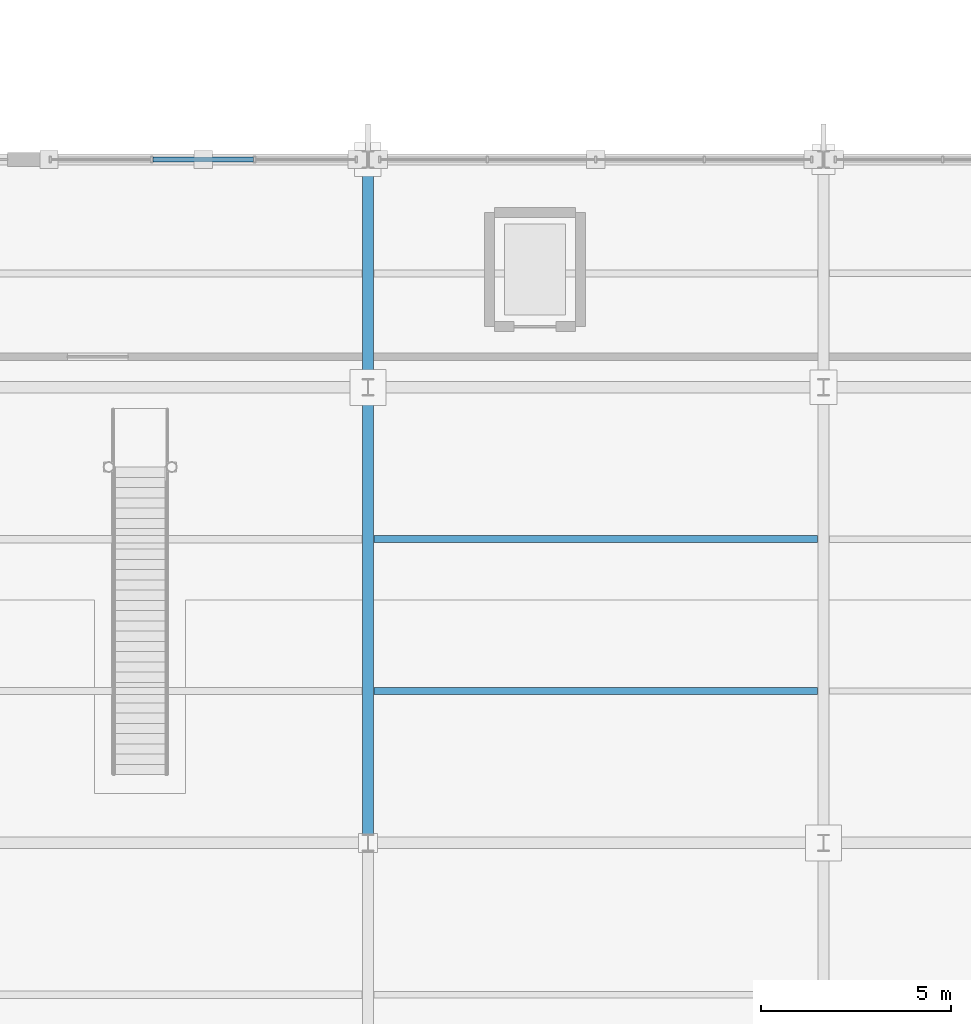
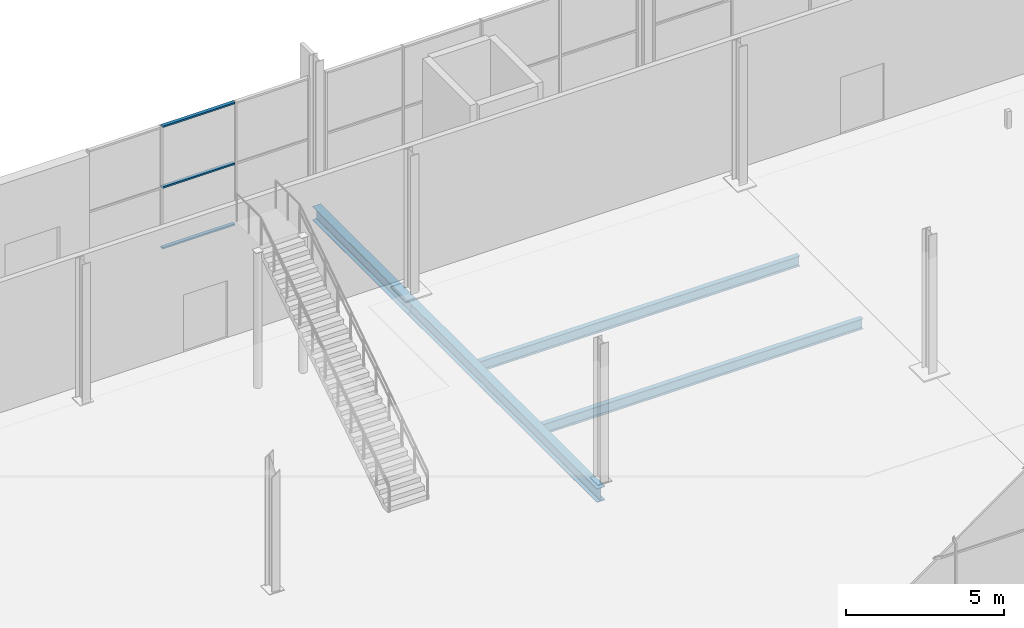
# One storey, part 83 of 196: 4 beams, 3 members, 1 element without a shape of its own.
"""IFC4 building model written with IfcOpenShell, lengths in metres."""

from ifc_helpers import new_model, si_unit, direction, frame, origin, origin_2d, place, context, subcontext, project, spatial, hollow_rectangle, i_section, extrude, material, material_profile, profile_set, type_object, element, aggregate, save


model = new_model("IFC4")

# Units and contexts
model_context = context("Model", 3, precision=1e-05, world=origin(), true_north=direction((0.0, 1.0)))
body_context = subcontext(model_context, "Body", "Model", "MODEL_VIEW")
ifc_project = project(units=[si_unit("LENGTHUNIT", "METRE"), si_unit("AREAUNIT", "SQUARE_METRE"), si_unit("VOLUMEUNIT", "CUBIC_METRE"), si_unit("PLANEANGLEUNIT", "RADIAN"), si_unit("MASSUNIT", "GRAM", prefix="KILO")], contexts=[model_context])

# Site, building, storey
site_placement = place(None, origin())
site = spatial("IfcSite", under=ifc_project, at=site_placement, CompositionType="ELEMENT")
building_placement = place(site_placement, origin())
building = spatial("IfcBuilding", under=site, at=building_placement, Name="Merenkruunu Market Hall", CompositionType="ELEMENT")
storey_placement = place(building_placement, origin())
storey = spatial("IfcBuildingStorey", under=building, at=storey_placement, Name="L00", CompositionType="ELEMENT", Elevation=0.0)

# Curtain wall, members
ifc_material_1 = material(Name="Powder-coated aluminium", Category="aluminium")
curtain_wall_type = type_object("IfcCurtainWallType", Name="Glazed Curtain Wall CW06", PredefinedType="USERDEFINED", material=ifc_material_1)
curtain_wall_placement = place(storey_placement, origin())
curtain_wall = element("IfcCurtainWall", 1, at=curtain_wall_placement, inside=storey, type_object=curtain_wall_type, Name="CW-L00-CWM01-184", ObjectType="GLAZED_FACADE", PredefinedType="USERDEFINED")
ifc_material_profile_1 = material_profile(ifc_material_1, hollow_rectangle(XDim=0.06005859375, YDim=0.125, WallThickness=0.00390625, at=origin_2d()), Name="ALU 60x125x4")
ifc_profile_set_1 = profile_set([ifc_material_profile_1], Name="Powder-coated aluminium")
member_type = type_object("IfcMemberType", Name="Curtain Wall Transom CWT01", PredefinedType="USERDEFINED", material=ifc_profile_set_1)
member_1_placement = place(storey_placement, frame((95.13671875, 45.60009765625, 0.030029296875), z_axis=(1.0, 0.0, 0.0), x_axis=(0.0, 0.0, 1.0)))
member_1 = element("IfcMember", 2, at=member_1_placement, type_object=member_type, Name="CW06 transom 2.1", ObjectType="TRANSOM", PredefinedType="USERDEFINED", context=body_context, shape_type="SweptSolid", body=[
    extrude(hollow_rectangle(XDim=0.06005859375, YDim=0.125, WallThickness=0.00390625, at=origin_2d()), origin(), (0.0, 0.0, 1.0), 2.646728515625),
])
member_2_placement = place(storey_placement, frame((95.13671875, 45.60009765625, 2.375), z_axis=(1.0, 0.0, 0.0), x_axis=(0.0, 0.0, 1.0)))
member_2 = element("IfcMember", 3, at=member_2_placement, type_object=member_type, Name="CW06 transom 2.2", ObjectType="TRANSOM", PredefinedType="USERDEFINED", context=body_context, shape_type="SweptSolid", body=[
    extrude(hollow_rectangle(XDim=0.06005859375, YDim=0.125, WallThickness=0.00390625, at=origin_2d()), origin(), (0.0, 0.0, 1.0), 2.646728515625),
])
member_3_placement = place(storey_placement, frame((95.13671875, 45.60009765625, 4.719970703125), z_axis=(1.0, 0.0, 0.0), x_axis=(0.0, 0.0, 1.0)))
member_3 = element("IfcMember", 4, at=member_3_placement, type_object=member_type, Name="CW06 transom 2.3", ObjectType="TRANSOM", PredefinedType="USERDEFINED", context=body_context, shape_type="SweptSolid", body=[
    extrude(hollow_rectangle(XDim=0.06005859375, YDim=0.125, WallThickness=0.00390625, at=origin_2d()), origin(), (0.0, 0.0, 1.0), 2.646728515625),
])
aggregate(curtain_wall, [member_1, member_2, member_3])

# Beams
ifc_material_2 = material(Name="Steel S355J2", Category="steel")
ifc_material_profile_2 = material_profile(ifc_material_2, i_section(OverallWidth=0.300048828125, OverallDepth=0.5400390625, WebThickness=0.012451171875, FlangeThickness=0.02392578125, FilletRadius=0.027099609375, at=origin_2d()), Name="HEA 550")
ifc_profile_set_2 = profile_set([ifc_material_profile_2], Name="Steel S355J2")
beam_type_1 = type_object("IfcBeamType", Name="Primary Floor Girder B06", PredefinedType="BEAM", material=ifc_profile_set_2)
beam_1_placement = place(storey_placement, frame((100.800048828125, 27.60009765625, -0.570068359375), z_axis=(0.0, 1.0, 0.0), x_axis=(-1.0, 0.0, 0.0)))
element("IfcBeam", 5, at=beam_1_placement, inside=storey, type_object=beam_type_1, Name="BM-L00-B06-0216", PredefinedType="BEAM", context=body_context, shape_type="SweptSolid", body=[
    extrude(i_section(OverallWidth=0.300048828125, OverallDepth=0.5400390625, WebThickness=0.012451171875, FlangeThickness=0.02392578125, FilletRadius=0.027099609375, at=origin_2d()), origin(), (0.0, 0.0, 1.0), 12.0),
])
beam_2_placement = place(storey_placement, frame((100.800048828125, 39.60009765625, -0.570068359375), z_axis=(0.0, 1.0, 0.0), x_axis=(-1.0, 0.0, 0.0)))
element("IfcBeam", 6, at=beam_2_placement, inside=storey, type_object=beam_type_1, Name="BM-L00-B06-0217", PredefinedType="BEAM", context=body_context, shape_type="SweptSolid", body=[
    extrude(i_section(OverallWidth=0.300048828125, OverallDepth=0.5400390625, WebThickness=0.012451171875, FlangeThickness=0.02392578125, FilletRadius=0.027099609375, at=origin_2d()), origin(), (0.0, 0.0, 1.0), 6.0),
])
ifc_material_profile_3 = material_profile(ifc_material_2, i_section(OverallWidth=0.179931640625, OverallDepth=0.39990234375, WebThickness=0.008544921875, FlangeThickness=0.013427734375, FilletRadius=0.02099609375, at=origin_2d()), Name="IPE 400")
ifc_profile_set_3 = profile_set([ifc_material_profile_3], Name="Steel S355J2")
beam_type_2 = type_object("IfcBeamType", Name="Secondary Floor Joist J02", PredefinedType="JOIST", material=ifc_profile_set_3)
for number, where, z_axis, x_axis, name in (
    (7, (100.952880859375, 31.60009765625, -0.5), (1.0, 0.0, 0.0), (0.0, 1.0, 0.0), "BM-L00-J02-0388"),
    (8, (100.952880859375, 35.60009765625, -0.5), (1.0, 0.0, 0.0), (0.0, 1.0, 0.0), "BM-L00-J02-0389"),
):
    element("IfcBeam", number, at=place(storey_placement, frame(where, z_axis=z_axis, x_axis=x_axis)), inside=storey, type_object=beam_type_2, Name=name, PredefinedType="JOIST", context=body_context, shape_type="SweptSolid", body=[
        extrude(i_section(OverallWidth=0.179931640625, OverallDepth=0.39990234375, WebThickness=0.008544921875, FlangeThickness=0.013427734375, FilletRadius=0.02099609375, at=origin_2d()), origin(), (0.0, 0.0, 1.0), 11.694091796875),
    ])

save(model, "model.ifc")
